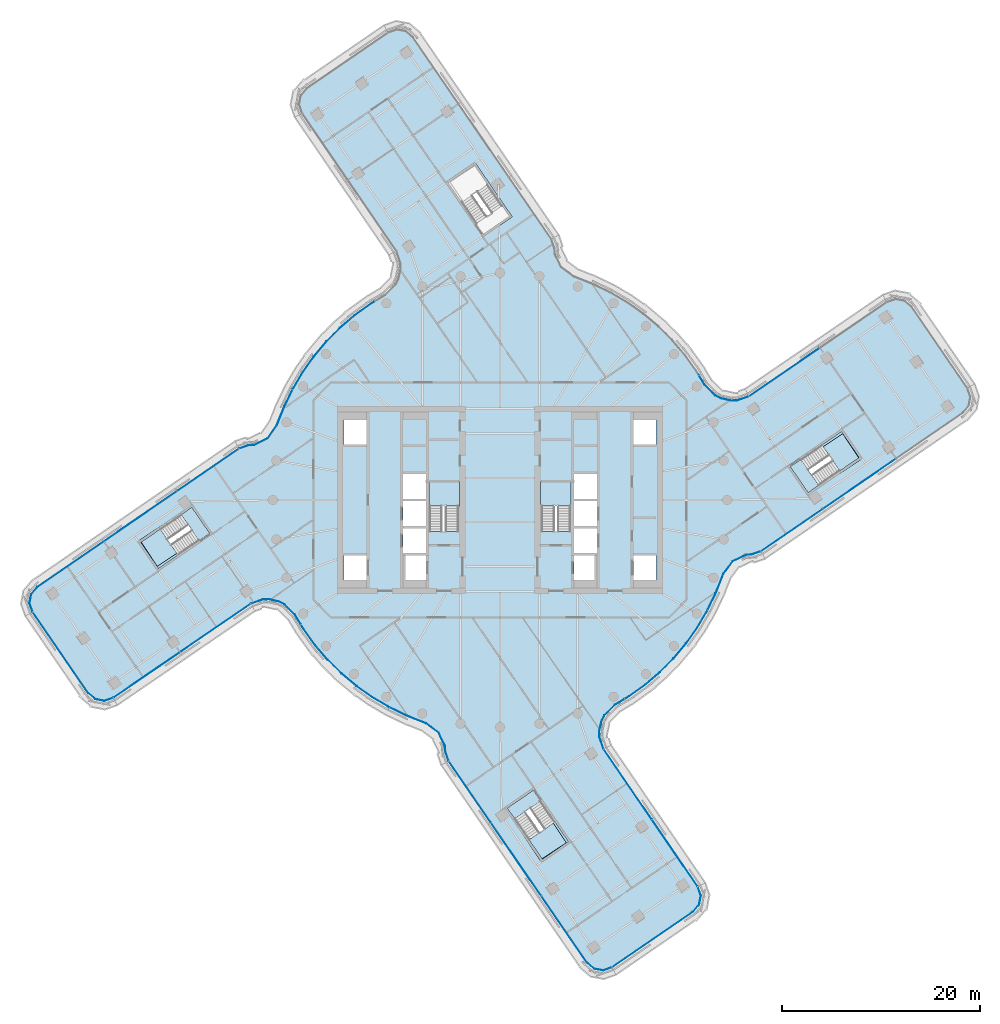
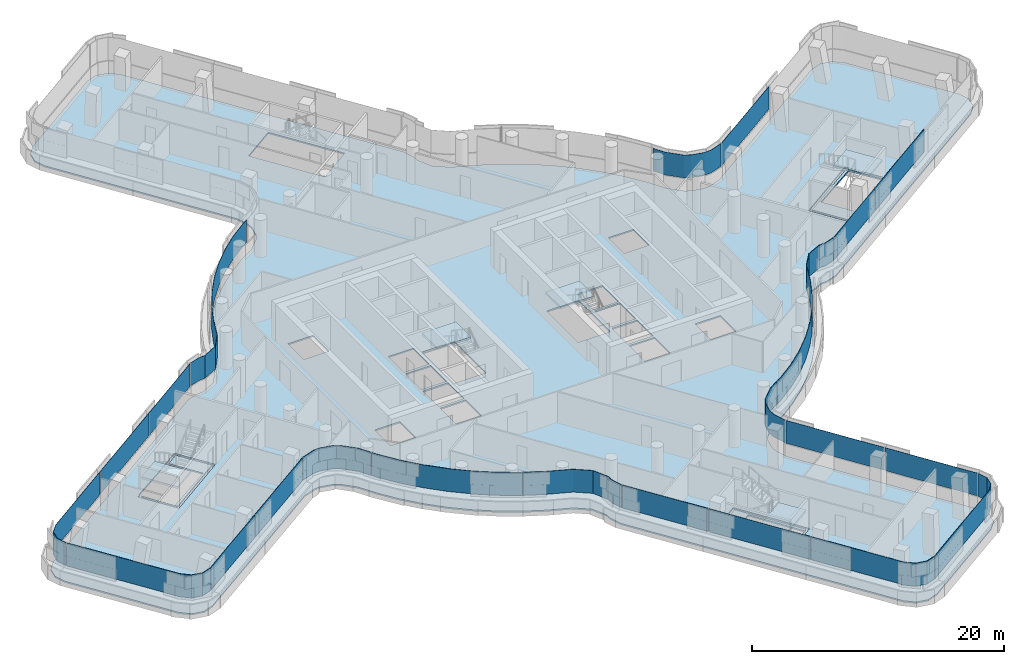
# One storey, part 19 of 33: 24 plates, 9 slabs, 17 elements without a shape of their own.
"""IFC4 building model written with IfcOpenShell, lengths in metres."""

from ifc_helpers import new_model, si_unit, direction, frame, origin, place, context, subcontext, project, spatial, polyline, outline, extrude, material, layer, layer_set, type_object, element, aggregate, save


model = new_model("IFC4")

# Units and contexts
model_context = context("Model", 3, precision=1e-05, world=origin(), true_north=direction((0.0, 1.0)))
body_context = subcontext(model_context, "Body", "Model", "MODEL_VIEW")
ifc_project = project(units=[si_unit("LENGTHUNIT", "METRE"), si_unit("AREAUNIT", "SQUARE_METRE"), si_unit("VOLUMEUNIT", "CUBIC_METRE"), si_unit("PLANEANGLEUNIT", "RADIAN"), si_unit("MASSUNIT", "GRAM", prefix="KILO")], contexts=[model_context])

# Site, building, storey
site_placement = place(None, origin())
site = spatial("IfcSite", under=ifc_project, at=site_placement, CompositionType="ELEMENT")
building_placement = place(site_placement, origin())
building = spatial("IfcBuilding", under=site, at=building_placement, Name="Tamarind Cross Interchange Tower", CompositionType="ELEMENT")
storey_placement = place(building_placement, frame((0.0, 0.0, 159.25)))
storey = spatial("IfcBuildingStorey", under=building, at=storey_placement, Name="L39", CompositionType="ELEMENT", Elevation=159.25)

# Slabs
ifc_material_1 = material(Name="Concrete C35", Category="concrete")
ifc_layer_1 = layer(ifc_material_1, 0.139892578125)
ifc_layer_set_1 = layer_set([ifc_layer_1], Name="Concrete C35")
slab_type_1 = type_object("IfcSlabType", Name="Composite slab 140 Concrete C35", PredefinedType="FLOOR", material=ifc_layer_set_1)
slab_1_placement = place(storey_placement, frame((0.0, 0.0, -0.139892578125)))
element("IfcSlab", 1, at=slab_1_placement, inside=storey, type_object=slab_type_1, Name="Floor slab L39", PredefinedType="FLOOR", context=body_context, shape_type="SweptSolid", body=[
    extrude(outline(polyline([(-25.51171875, 5.7333984375), (-26.522705078125, 5.3857421875), (-46.978271484375, -8.66162109375), (-47.65087890625, -9.448486328125), (-47.840087890625, -10.46630859375), (-47.494873046875, -11.4423828125), (-41.833740234375, -19.685791015625), (-41.046875, -20.3583984375), (-40.029052734375, -20.547607421875), (-39.052978515625, -20.202392578125), (-25.114501953125, -10.675048828125), (-23.974853515625, -10.28564453125), (-23.447509765625, -10.255615234375), (-22.405517578125, -10.484130859375), (-21.939208984375, -10.73193359375), (-20.898193359375, -11.773681640625), (-20.031982421875, -13.2109375), (-18.87255859375, -14.820068359375), (-17.584228515625, -16.327880859375), (-16.17578125, -17.72412109375), (-14.656982421875, -18.99951171875), (-13.0380859375, -20.14501953125), (-11.329833984375, -21.15283203125), (-9.54443359375, -22.01611328125), (-7.572998046875, -22.8017578125), (-6.36328125, -23.702392578125), (-5.75927734375, -24.952880859375), (-5.7294921875, -25.504638671875), (-5.381103515625, -26.529541015625), (8.66162109375, -46.978271484375), (9.448486328125, -47.65087890625), (10.46630859375, -47.840087890625), (11.4423828125, -47.494873046875), (19.685791015625, -41.833740234375), (20.3583984375, -41.046875), (20.547607421875, -40.029052734375), (20.202392578125, -39.052978515625), (10.675048828125, -25.114501953125), (10.28564453125, -23.974853515625), (10.255615234375, -23.447509765625), (10.484130859375, -22.405517578125), (10.73193359375, -21.939208984375), (11.773681640625, -20.898193359375), (13.2109375, -20.031982421875), (14.820068359375, -18.87255859375), (16.327880859375, -17.584228515625), (17.72412109375, -16.17578125), (18.99951171875, -14.656982421875), (20.14501953125, -13.0380859375), (21.15283203125, -11.329833984375), (22.01611328125, -9.54443359375), (22.8017578125, -7.572998046875), (23.702392578125, -6.36328125), (24.952880859375, -5.75927734375), (25.504638671875, -5.7294921875), (26.529541015625, -5.381103515625), (46.978271484375, 8.66162109375), (47.65087890625, 9.448486328125), (47.840087890625, 10.46630859375), (47.494873046875, 11.4423828125), (41.833740234375, 19.685791015625), (41.046875, 20.3583984375), (40.029052734375, 20.547607421875), (39.052978515625, 20.202392578125), (25.114501953125, 10.675048828125), (23.974853515625, 10.28564453125), (23.447509765625, 10.255615234375), (22.405517578125, 10.484130859375), (21.939208984375, 10.73193359375), (20.898193359375, 11.773681640625), (20.031982421875, 13.2109375), (18.87255859375, 14.820068359375), (17.584228515625, 16.327880859375), (16.17578125, 17.72412109375), (14.656982421875, 18.99951171875), (13.0380859375, 20.14501953125), (11.329833984375, 21.15283203125), (9.54443359375, 22.01611328125), (7.572998046875, 22.8017578125), (6.36328125, 23.702392578125), (5.75927734375, 24.952880859375), (5.7294921875, 25.504638671875), (5.381103515625, 26.529541015625), (-8.66162109375, 46.978271484375), (-9.448486328125, 47.65087890625), (-10.46630859375, 47.840087890625), (-11.4423828125, 47.494873046875), (-19.685791015625, 41.833740234375), (-20.3583984375, 41.046875), (-20.547607421875, 40.029052734375), (-20.202392578125, 39.052978515625), (-10.675048828125, 25.114501953125), (-10.28564453125, 23.974853515625), (-10.255615234375, 23.447509765625), (-10.484130859375, 22.405517578125), (-10.73193359375, 21.939208984375), (-11.773681640625, 20.898193359375), (-13.2109375, 20.031982421875), (-14.820068359375, 18.87255859375), (-16.327880859375, 17.584228515625), (-17.72412109375, 16.17578125), (-18.99951171875, 14.656982421875), (-20.14501953125, 13.0380859375), (-21.15283203125, 11.329833984375), (-22.01611328125, 9.54443359375), (-22.785400390625, 7.64599609375), (-23.647705078125, 6.412841796875), (-24.920654296875, 5.769287109375), (-25.51171875, 5.7333984375)]), holes=[polyline([(-7.5, -8.125), (-9.800048828125, -8.125), (-9.800048828125, -5.625), (-7.5, -5.625), (-7.5, -8.125)]), polyline([(-13.5, -8.125), (-15.800048828125, -8.125), (-15.800048828125, -5.625), (-13.5, -5.625), (-13.5, -8.125)]), polyline([(-34.632080078125, -7.21923828125), (-34.74560546875, -7.05419921875), (-36.556884765625, -4.41650390625), (-36.670166015625, -4.251708984375), (-36.43505859375, -4.090087890625), (-36.46826171875, -4.0400390625), (-33.722900390625, -2.2275390625), (-31.147216796875, -0.458740234375), (-31.033935546875, -0.62353515625), (-29.222412109375, -3.261474609375), (-29.109130859375, -3.42626953125), (-34.632080078125, -7.21923828125)]), polyline([(-7.5, -5.375), (-9.800048828125, -5.375), (-9.800048828125, -2.875), (-7.5, -2.875), (-7.5, -5.375)]), polyline([(-7.5, -2.625), (-9.800048828125, -2.625), (-9.800048828125, -0.125), (-7.5, -0.125), (-7.5, -2.625)]), polyline([(-4.199951171875, 1.800048828125), (-4.199951171875, -3.18798828125), (-7.14990234375, -3.18798828125), (-7.14990234375, 1.800048828125), (-4.199951171875, 1.800048828125)]), polyline([(-7.5, 0.125), (-9.800048828125, 0.125), (-9.800048828125, 2.625), (-7.5, 2.625), (-7.5, 0.125)]), polyline([(-13.5, 5.625), (-15.800048828125, 5.625), (-15.800048828125, 8.125), (-13.5, 8.125), (-13.5, 5.625)]), polyline([(1.239501953125, 28.674072265625), (1.07470703125, 28.560791015625), (-1.563232421875, 26.74951171875), (-1.72802734375, 26.635986328125), (-5.52099609375, 32.1591796875), (-5.35595703125, 32.2724609375), (-2.718017578125, 34.083984375), (-2.55322265625, 34.197265625), (-2.3916015625, 33.961669921875), (-2.38720703125, 33.964599609375), (-2.2275390625, 33.722900390625), (1.239501953125, 28.674072265625)]), polyline([(7.21923828125, -34.632080078125), (7.05419921875, -34.74560546875), (4.41650390625, -36.556884765625), (4.251708984375, -36.670166015625), (4.090087890625, -36.43505859375), (4.0400390625, -36.46826171875), (2.2275390625, -33.722900390625), (0.458740234375, -31.147216796875), (0.62353515625, -31.033935546875), (3.261474609375, -29.222412109375), (3.42626953125, -29.109130859375), (7.21923828125, -34.632080078125)]), polyline([(13.5, -5.625), (15.800048828125, -5.625), (15.800048828125, -8.125), (13.5, -8.125), (13.5, -5.625)]), polyline([(7.5, -5.625), (9.800048828125, -5.625), (9.800048828125, -8.125), (7.5, -8.125), (7.5, -5.625)]), polyline([(7.5, -2.875), (9.800048828125, -2.875), (9.800048828125, -5.375), (7.5, -5.375), (7.5, -2.875)]), polyline([(7.5, -0.125), (9.800048828125, -0.125), (9.800048828125, -2.625), (7.5, -2.625), (7.5, -0.125)]), polyline([(7.14990234375, 1.800048828125), (7.14990234375, -3.18798828125), (4.199951171875, -3.18798828125), (4.199951171875, 1.800048828125), (7.14990234375, 1.800048828125)]), polyline([(7.5, 2.625), (9.800048828125, 2.625), (9.800048828125, 0.125), (7.5, 0.125), (7.5, 2.625)]), polyline([(31.147216796875, 0.458740234375), (31.033935546875, 0.62353515625), (29.222412109375, 3.261474609375), (29.109130859375, 3.42626953125), (34.632080078125, 7.21923828125), (34.74560546875, 7.05419921875), (36.556884765625, 4.41650390625), (36.670166015625, 4.251708984375), (36.43505859375, 4.090087890625), (36.46826171875, 4.0400390625), (33.722900390625, 2.2275390625), (31.147216796875, 0.458740234375)]), polyline([(15.800048828125, 8.125), (15.800048828125, 5.625), (13.5, 5.625), (13.5, 8.125), (15.800048828125, 8.125)])]), origin(), (0.0, 0.0, 1.0), 0.139892578125),
])
slab_2_placement = place(storey_placement, frame((0.0, 0.0, -0.139892578125)))
element("IfcSlab", 2, at=slab_2_placement, inside=storey, type_object=slab_type_1, Name="Floor slab L39", PredefinedType="FLOOR", context=body_context, shape_type="SweptSolid", body=[
    extrude(outline(polyline([(-36.39208984375, -4.30322265625), (-34.58056640625, -6.941162109375), (-29.38720703125, -3.374755859375), (-31.19873046875, -0.73681640625), (-32.21240234375, -1.432861328125), (-32.2802734375, -1.4794921875), (-30.565185546875, -3.977294921875), (-34.705078125, -6.71044921875), (-36.324951171875, -4.257080078125), (-36.39208984375, -4.30322265625)])), origin(), (0.0, 0.0, 1.0), 0.139892578125),
])
slab_3_placement = place(storey_placement, frame((0.0, 0.0, -0.139892578125)))
element("IfcSlab", 3, at=slab_3_placement, inside=storey, type_object=slab_type_1, Name="Floor slab L39", PredefinedType="FLOOR", context=body_context, shape_type="SweptSolid", body=[
    extrude(outline(polyline([(3.374755859375, -29.38720703125), (0.73681640625, -31.19873046875), (1.432861328125, -32.21240234375), (1.4794921875, -32.2802734375), (3.977294921875, -30.565185546875), (6.71044921875, -34.705078125), (4.257080078125, -36.324951171875), (4.30322265625, -36.39208984375), (6.941162109375, -34.58056640625), (3.374755859375, -29.38720703125)])), origin(), (0.0, 0.0, 1.0), 0.139892578125),
])
slab_4_placement = place(storey_placement, frame((0.0, 0.0, -0.139892578125)))
element("IfcSlab", 4, at=slab_4_placement, inside=storey, type_object=slab_type_1, Name="Floor slab L39", PredefinedType="FLOOR", context=body_context, shape_type="SweptSolid", body=[
    extrude(outline(polyline([(36.39208984375, 4.30322265625), (34.58056640625, 6.941162109375), (29.38720703125, 3.374755859375), (31.19873046875, 0.73681640625), (32.21240234375, 1.432861328125), (32.2802734375, 1.4794921875), (30.565185546875, 3.977294921875), (34.705078125, 6.71044921875), (36.324951171875, 4.257080078125), (36.39208984375, 4.30322265625)])), origin(), (0.0, 0.0, 1.0), 0.139892578125),
])

# Stair, slab
ifc_material_2 = material(Name="Exit stair")
stair_type = type_object("IfcStairType", Name="Exit stair", PredefinedType="HALF_TURN_STAIR", material=ifc_material_2)
stair_1_placement = place(storey_placement, origin())
stair_1 = element("IfcStair", 5, at=stair_1_placement, inside=storey, type_object=stair_type, Name="L39 exit stair ST1", PredefinedType="HALF_TURN_STAIR")
ifc_material_3 = material(Name="Concrete C40", Category="concrete")
ifc_layer_2 = layer(ifc_material_3, 0.199951171875)
ifc_layer_set_2 = layer_set([ifc_layer_2], Name="Concrete C40")
slab_type_2 = type_object("IfcSlabType", Name="Stair landing", PredefinedType="LANDING", material=ifc_layer_set_2)
slab_5_placement = place(storey_placement, frame((0.0, 0.0, 1.675048828125)))
slab_5 = element("IfcSlab", 6, at=slab_5_placement, type_object=slab_type_2, Name="ST1 landing 1", PredefinedType="LANDING", context=body_context, shape_type="SweptSolid", body=[
    extrude(outline(polyline([(-4.10009765625, -0.60009765625), (-4.10009765625, 1.800048828125), (-7.199951171875, 1.800048828125), (-7.199951171875, -0.60009765625), (-4.10009765625, -0.60009765625)])), origin(), (0.0, 0.0, 1.0), 0.199951171875),
])
aggregate(stair_1, [slab_5])

stair_2_placement = place(storey_placement, origin())
stair_2 = element("IfcStair", 7, at=stair_2_placement, inside=storey, type_object=stair_type, Name="L39 exit stair ST2", PredefinedType="HALF_TURN_STAIR")
slab_6_placement = place(storey_placement, frame((0.0, 0.0, 1.675048828125)))
slab_6 = element("IfcSlab", 8, at=slab_6_placement, type_object=slab_type_2, Name="ST2 landing 1", PredefinedType="LANDING", context=body_context, shape_type="SweptSolid", body=[
    extrude(outline(polyline([(7.199951171875, -0.60009765625), (7.199951171875, 1.800048828125), (4.10009765625, 1.800048828125), (4.10009765625, -0.60009765625), (7.199951171875, -0.60009765625)])), origin(), (0.0, 0.0, 1.0), 0.199951171875),
])
aggregate(stair_2, [slab_6])

stair_3_placement = place(storey_placement, origin())
stair_3 = element("IfcStair", 9, at=stair_3_placement, inside=storey, type_object=stair_type, Name="L39 exit stair ST3", PredefinedType="HALF_TURN_STAIR")
slab_7_placement = place(storey_placement, frame((0.0, 0.0, 1.675048828125)))
slab_7 = element("IfcSlab", 10, at=slab_7_placement, type_object=slab_type_2, Name="ST3 landing 1", PredefinedType="LANDING", context=body_context, shape_type="SweptSolid", body=[
    extrude(outline(polyline([(34.40380859375, 2.937744140625), (36.39208984375, 4.30322265625), (34.58056640625, 6.941162109375), (32.59228515625, 5.57568359375), (34.40380859375, 2.937744140625)])), origin(), (0.0, 0.0, 1.0), 0.199951171875),
])
aggregate(stair_3, [slab_7])

stair_4_placement = place(storey_placement, origin())
stair_4 = element("IfcStair", 11, at=stair_4_placement, inside=storey, type_object=stair_type, Name="L39 exit stair ST5", PredefinedType="HALF_TURN_STAIR")
slab_8_placement = place(storey_placement, frame((0.0, 0.0, 1.675048828125)))
slab_8 = element("IfcSlab", 12, at=slab_8_placement, type_object=slab_type_2, Name="ST5 landing 1", PredefinedType="LANDING", context=body_context, shape_type="SweptSolid", body=[
    extrude(outline(polyline([(-34.40380859375, -2.937744140625), (-36.39208984375, -4.30322265625), (-34.58056640625, -6.941162109375), (-32.59228515625, -5.57568359375), (-34.40380859375, -2.937744140625)])), origin(), (0.0, 0.0, 1.0), 0.199951171875),
])
aggregate(stair_4, [slab_8])

stair_5_placement = place(storey_placement, origin())
stair_5 = element("IfcStair", 13, at=stair_5_placement, inside=storey, type_object=stair_type, Name="L39 exit stair ST6", PredefinedType="HALF_TURN_STAIR")
slab_9_placement = place(storey_placement, frame((0.0, 0.0, 1.675048828125)))
slab_9 = element("IfcSlab", 14, at=slab_9_placement, type_object=slab_type_2, Name="ST6 landing 1", PredefinedType="LANDING", context=body_context, shape_type="SweptSolid", body=[
    extrude(outline(polyline([(2.937744140625, -34.40380859375), (4.30322265625, -36.39208984375), (6.941162109375, -34.58056640625), (5.57568359375, -32.59228515625), (2.937744140625, -34.40380859375)])), origin(), (0.0, 0.0, 1.0), 0.199951171875),
])
aggregate(stair_5, [slab_9])

# Curtain wall, plate
ifc_material_4 = material(Name="Aluminium 6063-T6", Category="aluminium")
ifc_layer_3 = layer(ifc_material_4, 0.159912109375)
ifc_layer_set_3 = layer_set([ifc_layer_3], Name="Aluminium 6063-T6")
curtain_wall_type = type_object("IfcCurtainWallType", Name="Office curtain wall, 9.0 m bays", PredefinedType="NOTDEFINED", material=ifc_layer_set_3)
curtain_wall_1_placement = place(storey_placement, origin())
curtain_wall_1 = element("IfcCurtainWall", 15, at=curtain_wall_1_placement, inside=storey, type_object=curtain_wall_type, Name="CWS-L39-00", PredefinedType="NOTDEFINED")
ifc_material_5 = material(Name="Laminated low-e glass 8+1.52+8", Category="glass")
ifc_layer_4 = layer(ifc_material_5, 0.028076171875)
ifc_layer_set_4 = layer_set([ifc_layer_4], Name="Laminated low-e glass 8+1.52+8")
plate_type = type_object("IfcPlateType", Name="Vision panel CW1", PredefinedType="CURTAIN_PANEL", material=ifc_layer_set_4)
plate_1_placement = place(storey_placement, frame((0.0, 0.0, 1.39990234375)))
plate_1 = element("IfcPlate", 16, at=plate_1_placement, type_object=plate_type, Name="CWP-L39-00-00", PredefinedType="CURTAIN_PANEL", context=body_context, shape_type="SweptSolid", body=[
    extrude(outline(polyline([(-47.286376953125, -11.36767578125), (-41.67333984375, -19.54150390625), (-40.951416015625, -20.15869140625), (-40.04638671875, -20.32666015625), (-39.17724609375, -20.019287109375), (-39.16796875, -20.045654296875), (-40.0439453125, -20.355712890625), (-40.9638671875, -20.184814453125), (-41.6943359375, -19.560302734375), (-47.3095703125, -11.383544921875), (-47.286376953125, -11.36767578125)])), origin(), (0.0, 0.0, 1.0), 2.210205078125),
])
aggregate(curtain_wall_1, [plate_1])

# Curtain wall, plates
curtain_wall_2_placement = place(storey_placement, origin())
curtain_wall_2 = element("IfcCurtainWall", 17, at=curtain_wall_2_placement, inside=storey, type_object=curtain_wall_type, Name="CWS-L39-01", PredefinedType="NOTDEFINED")
plate_2_placement = place(storey_placement, frame((0.0, 0.0, 1.39990234375)))
plate_2 = element("IfcPlate", 18, at=plate_2_placement, type_object=plate_type, Name="CWP-L39-01-00", PredefinedType="CURTAIN_PANEL", context=body_context, shape_type="SweptSolid", body=[
    extrude(outline(polyline([(-39.12744140625, -19.993896484375), (-32.411865234375, -15.40380859375), (-32.39599609375, -15.4267578125), (-39.111572265625, -20.01708984375), (-39.12744140625, -19.993896484375)])), origin(), (0.0, 0.0, 1.0), 2.210205078125),
])
plate_3_placement = place(storey_placement, frame((0.0, 0.0, 1.39990234375)))
plate_3 = element("IfcPlate", 19, at=plate_3_placement, type_object=plate_type, Name="CWP-L39-01-01", PredefinedType="CURTAIN_PANEL", context=body_context, shape_type="SweptSolid", body=[
    extrude(outline(polyline([(-32.3623046875, -15.369873046875), (-25.237548828125, -10.499755859375), (-25.2216796875, -10.52294921875), (-32.346435546875, -15.39306640625), (-32.3623046875, -15.369873046875)])), origin(), (0.0, 0.0, 1.0), 2.210205078125),
])
aggregate(curtain_wall_2, [plate_2, plate_3])

curtain_wall_3_placement = place(storey_placement, origin())
curtain_wall_3 = element("IfcCurtainWall", 20, at=curtain_wall_3_placement, inside=storey, type_object=curtain_wall_type, Name="CWS-L39-02", PredefinedType="NOTDEFINED")
plate_4_placement = place(storey_placement, frame((0.0, 0.0, 1.39990234375)))
plate_4 = element("IfcPlate", 21, at=plate_4_placement, type_object=plate_type, Name="CWP-L39-02-00", PredefinedType="CURTAIN_PANEL", context=body_context, shape_type="SweptSolid", body=[
    extrude(outline(polyline([(-25.180908203125, -10.471435546875), (-24.01611328125, -10.073486328125), (-23.43017578125, -10.040283203125), (-22.3310546875, -10.28125), (-21.810302734375, -10.557861328125), (-20.728515625, -11.640869140625), (-20.152587890625, -12.59619140625), (-20.176513671875, -12.610595703125), (-20.750732421875, -11.658203125), (-21.8271484375, -10.580810546875), (-22.3408203125, -10.307861328125), (-23.4326171875, -10.068603515625), (-24.0107421875, -10.101318359375), (-25.171875, -10.498046875), (-25.180908203125, -10.471435546875)])), origin(), (0.0, 0.0, 1.0), 2.210205078125),
])
plate_5_placement = place(storey_placement, frame((0.0, 0.0, 1.39990234375)))
plate_5 = element("IfcPlate", 22, at=plate_5_placement, type_object=plate_type, Name="CWP-L39-02-01", PredefinedType="CURTAIN_PANEL", context=body_context, shape_type="SweptSolid", body=[
    extrude(outline(polyline([(-20.12158203125, -12.6474609375), (-19.853271484375, -13.0927734375), (-18.7041015625, -14.687744140625), (-17.42724609375, -16.18212890625), (-16.031494140625, -17.56591796875), (-14.526123046875, -18.829833984375), (-12.921630859375, -19.965087890625), (-11.228759765625, -20.9638671875), (-11.17529296875, -20.98974609375), (-11.1875, -21.014892578125), (-11.241943359375, -20.98876953125), (-12.936767578125, -19.988525390625), (-14.543212890625, -18.85205078125), (-16.05029296875, -17.586669921875), (-17.44775390625, -16.201171875), (-18.72607421875, -14.705078125), (-19.87646484375, -13.1083984375), (-20.1455078125, -12.662109375), (-20.12158203125, -12.6474609375)])), origin(), (0.0, 0.0, 1.0), 2.210205078125),
])
plate_6_placement = place(storey_placement, frame((0.0, 0.0, 1.39990234375)))
plate_6 = element("IfcPlate", 23, at=plate_6_placement, type_object=plate_type, Name="CWP-L39-02-02", PredefinedType="CURTAIN_PANEL", context=body_context, shape_type="SweptSolid", body=[
    extrude(outline(polyline([(-11.121337890625, -21.015869140625), (-9.4580078125, -21.820068359375), (-7.4677734375, -22.61328125), (-6.193359375, -23.56201171875), (-5.5478515625, -24.8984375), (-5.517578125, -25.463623046875), (-5.197021484375, -26.406005859375), (-5.2236328125, -26.4150390625), (-5.545166015625, -25.468994140625), (-5.575439453125, -24.905517578125), (-6.215576171875, -23.580322265625), (-7.4814453125, -22.637939453125), (-9.469482421875, -21.845703125), (-11.133544921875, -21.041015625), (-11.121337890625, -21.015869140625)])), origin(), (0.0, 0.0, 1.0), 2.210205078125),
])
aggregate(curtain_wall_3, [plate_4, plate_5, plate_6])

curtain_wall_4_placement = place(storey_placement, origin())
curtain_wall_4 = element("IfcCurtainWall", 24, at=curtain_wall_4_placement, inside=storey, type_object=curtain_wall_type, Name="CWS-L39-03", PredefinedType="NOTDEFINED")
plate_7_placement = place(storey_placement, frame((0.0, 0.0, 1.39990234375)))
plate_7 = element("IfcPlate", 25, at=plate_7_placement, type_object=plate_type, Name="CWP-L39-03-00", PredefinedType="CURTAIN_PANEL", context=body_context, shape_type="SweptSolid", body=[
    extrude(outline(polyline([(-5.172119140625, -26.455810546875), (-0.90625, -32.66796875), (-0.92919921875, -32.683837890625), (-5.1953125, -26.4716796875), (-5.172119140625, -26.455810546875)])), origin(), (0.0, 0.0, 1.0), 2.210205078125),
])
plate_8_placement = place(storey_placement, frame((0.0, 0.0, 1.39990234375)))
plate_8 = element("IfcPlate", 26, at=plate_8_placement, type_object=plate_type, Name="CWP-L39-03-01", PredefinedType="CURTAIN_PANEL", context=body_context, shape_type="SweptSolid", body=[
    extrude(outline(polyline([(-0.8720703125, -32.71728515625), (4.177734375, -40.07080078125), (4.154541015625, -40.086669921875), (-0.895263671875, -32.733154296875), (-0.8720703125, -32.71728515625)])), origin(), (0.0, 0.0, 1.0), 2.210205078125),
])
plate_9_placement = place(storey_placement, frame((0.0, 0.0, 1.39990234375)))
plate_9 = element("IfcPlate", 27, at=plate_9_placement, type_object=plate_type, Name="CWP-L39-03-02", PredefinedType="CURTAIN_PANEL", context=body_context, shape_type="SweptSolid", body=[
    extrude(outline(polyline([(4.211669921875, -40.120361328125), (8.822021484375, -46.833984375), (9.5439453125, -47.450927734375), (10.44921875, -47.619140625), (11.318115234375, -47.311767578125), (11.327392578125, -47.338134765625), (10.451416015625, -47.64794921875), (9.531494140625, -47.47705078125), (8.801025390625, -46.852783203125), (4.1884765625, -40.13623046875), (4.211669921875, -40.120361328125)])), origin(), (0.0, 0.0, 1.0), 2.210205078125),
])
aggregate(curtain_wall_4, [plate_7, plate_8, plate_9])

# Curtain wall, plate
curtain_wall_5_placement = place(storey_placement, origin())
curtain_wall_5 = element("IfcCurtainWall", 28, at=curtain_wall_5_placement, inside=storey, type_object=curtain_wall_type, Name="CWS-L39-04", PredefinedType="NOTDEFINED")
plate_10_placement = place(storey_placement, frame((0.0, 0.0, 1.39990234375)))
plate_10 = element("IfcPlate", 29, at=plate_10_placement, type_object=plate_type, Name="CWP-L39-04-00", PredefinedType="CURTAIN_PANEL", context=body_context, shape_type="SweptSolid", body=[
    extrude(outline(polyline([(11.36767578125, -47.286376953125), (19.54150390625, -41.67333984375), (20.15869140625, -40.951416015625), (20.32666015625, -40.04638671875), (20.019287109375, -39.17724609375), (20.045654296875, -39.16796875), (20.355712890625, -40.0439453125), (20.184814453125, -40.9638671875), (19.560302734375, -41.6943359375), (11.383544921875, -47.3095703125), (11.36767578125, -47.286376953125)])), origin(), (0.0, 0.0, 1.0), 2.210205078125),
])
aggregate(curtain_wall_5, [plate_10])

# Curtain wall, plates
curtain_wall_6_placement = place(storey_placement, origin())
curtain_wall_6 = element("IfcCurtainWall", 30, at=curtain_wall_6_placement, inside=storey, type_object=curtain_wall_type, Name="CWS-L39-05", PredefinedType="NOTDEFINED")
plate_11_placement = place(storey_placement, frame((0.0, 0.0, 1.39990234375)))
plate_11 = element("IfcPlate", 31, at=plate_11_placement, type_object=plate_type, Name="CWP-L39-05-00", PredefinedType="CURTAIN_PANEL", context=body_context, shape_type="SweptSolid", body=[
    extrude(outline(polyline([(19.993896484375, -39.12744140625), (15.40380859375, -32.411865234375), (15.4267578125, -32.39599609375), (20.01708984375, -39.111572265625), (19.993896484375, -39.12744140625)])), origin(), (0.0, 0.0, 1.0), 2.210205078125),
])
plate_12_placement = place(storey_placement, frame((0.0, 0.0, 1.39990234375)))
plate_12 = element("IfcPlate", 32, at=plate_12_placement, type_object=plate_type, Name="CWP-L39-05-01", PredefinedType="CURTAIN_PANEL", context=body_context, shape_type="SweptSolid", body=[
    extrude(outline(polyline([(15.369873046875, -32.3623046875), (10.499755859375, -25.237548828125), (10.52294921875, -25.2216796875), (15.39306640625, -32.346435546875), (15.369873046875, -32.3623046875)])), origin(), (0.0, 0.0, 1.0), 2.210205078125),
])
aggregate(curtain_wall_6, [plate_11, plate_12])

curtain_wall_7_placement = place(storey_placement, origin())
curtain_wall_7 = element("IfcCurtainWall", 33, at=curtain_wall_7_placement, inside=storey, type_object=curtain_wall_type, Name="CWS-L39-06", PredefinedType="NOTDEFINED")
plate_13_placement = place(storey_placement, frame((0.0, 0.0, 1.39990234375)))
plate_13 = element("IfcPlate", 34, at=plate_13_placement, type_object=plate_type, Name="CWP-L39-06-00", PredefinedType="CURTAIN_PANEL", context=body_context, shape_type="SweptSolid", body=[
    extrude(outline(polyline([(10.471435546875, -25.180908203125), (10.073486328125, -24.01611328125), (10.040283203125, -23.43017578125), (10.28125, -22.3310546875), (10.557861328125, -21.810302734375), (11.640869140625, -20.728515625), (12.59619140625, -20.152587890625), (12.610595703125, -20.176513671875), (11.658203125, -20.750732421875), (10.580810546875, -21.8271484375), (10.307861328125, -22.3408203125), (10.068603515625, -23.4326171875), (10.101318359375, -24.0107421875), (10.498046875, -25.171875), (10.471435546875, -25.180908203125)])), origin(), (0.0, 0.0, 1.0), 2.210205078125),
])
plate_14_placement = place(storey_placement, frame((0.0, 0.0, 1.39990234375)))
plate_14 = element("IfcPlate", 35, at=plate_14_placement, type_object=plate_type, Name="CWP-L39-06-01", PredefinedType="CURTAIN_PANEL", context=body_context, shape_type="SweptSolid", body=[
    extrude(outline(polyline([(12.6474609375, -20.12158203125), (13.0927734375, -19.853271484375), (14.687744140625, -18.7041015625), (16.18212890625, -17.42724609375), (17.56591796875, -16.031494140625), (18.829833984375, -14.526123046875), (19.965087890625, -12.921630859375), (20.9638671875, -11.228759765625), (20.98974609375, -11.17529296875), (21.014892578125, -11.1875), (20.98876953125, -11.241943359375), (19.988525390625, -12.936767578125), (18.85205078125, -14.543212890625), (17.586669921875, -16.05029296875), (16.201171875, -17.44775390625), (14.705078125, -18.72607421875), (13.1083984375, -19.87646484375), (12.662109375, -20.1455078125), (12.6474609375, -20.12158203125)])), origin(), (0.0, 0.0, 1.0), 2.210205078125),
])
plate_15_placement = place(storey_placement, frame((0.0, 0.0, 1.39990234375)))
plate_15 = element("IfcPlate", 36, at=plate_15_placement, type_object=plate_type, Name="CWP-L39-06-02", PredefinedType="CURTAIN_PANEL", context=body_context, shape_type="SweptSolid", body=[
    extrude(outline(polyline([(21.015869140625, -11.121337890625), (21.820068359375, -9.4580078125), (22.61328125, -7.4677734375), (23.56201171875, -6.193359375), (24.8984375, -5.5478515625), (25.463623046875, -5.517578125), (26.406005859375, -5.197021484375), (26.4150390625, -5.2236328125), (25.468994140625, -5.545166015625), (24.905517578125, -5.575439453125), (23.580322265625, -6.215576171875), (22.637939453125, -7.4814453125), (21.845703125, -9.469482421875), (21.041015625, -11.133544921875), (21.015869140625, -11.121337890625)])), origin(), (0.0, 0.0, 1.0), 2.210205078125),
])
aggregate(curtain_wall_7, [plate_13, plate_14, plate_15])

curtain_wall_8_placement = place(storey_placement, origin())
curtain_wall_8 = element("IfcCurtainWall", 37, at=curtain_wall_8_placement, inside=storey, type_object=curtain_wall_type, Name="CWS-L39-07", PredefinedType="NOTDEFINED")
plate_16_placement = place(storey_placement, frame((0.0, 0.0, 1.39990234375)))
plate_16 = element("IfcPlate", 38, at=plate_16_placement, type_object=plate_type, Name="CWP-L39-07-00", PredefinedType="CURTAIN_PANEL", context=body_context, shape_type="SweptSolid", body=[
    extrude(outline(polyline([(26.455810546875, -5.172119140625), (32.66796875, -0.90625), (32.683837890625, -0.92919921875), (26.4716796875, -5.1953125), (26.455810546875, -5.172119140625)])), origin(), (0.0, 0.0, 1.0), 2.210205078125),
])
plate_17_placement = place(storey_placement, frame((0.0, 0.0, 1.39990234375)))
plate_17 = element("IfcPlate", 39, at=plate_17_placement, type_object=plate_type, Name="CWP-L39-07-01", PredefinedType="CURTAIN_PANEL", context=body_context, shape_type="SweptSolid", body=[
    extrude(outline(polyline([(32.71728515625, -0.8720703125), (40.07080078125, 4.177734375), (40.086669921875, 4.154541015625), (32.733154296875, -0.895263671875), (32.71728515625, -0.8720703125)])), origin(), (0.0, 0.0, 1.0), 2.210205078125),
])
aggregate(curtain_wall_8, [plate_16, plate_17])

# Curtain wall, plate
curtain_wall_9_placement = place(storey_placement, origin())
curtain_wall_9 = element("IfcCurtainWall", 40, at=curtain_wall_9_placement, inside=storey, type_object=curtain_wall_type, Name="CWS-L39-09", PredefinedType="NOTDEFINED")
plate_18_placement = place(storey_placement, frame((0.0, 0.0, 1.39990234375)))
plate_18 = element("IfcPlate", 41, at=plate_18_placement, type_object=plate_type, Name="CWP-L39-09-01", PredefinedType="CURTAIN_PANEL", context=body_context, shape_type="SweptSolid", body=[
    extrude(outline(polyline([(32.3623046875, 15.369873046875), (25.237548828125, 10.499755859375), (25.2216796875, 10.52294921875), (32.346435546875, 15.39306640625), (32.3623046875, 15.369873046875)])), origin(), (0.0, 0.0, 1.0), 2.210205078125),
])
aggregate(curtain_wall_9, [plate_18])

curtain_wall_10_placement = place(storey_placement, origin())
curtain_wall_10 = element("IfcCurtainWall", 42, at=curtain_wall_10_placement, inside=storey, type_object=curtain_wall_type, Name="CWS-L39-10", PredefinedType="NOTDEFINED")
plate_19_placement = place(storey_placement, frame((0.0, 0.0, 1.39990234375)))
plate_19 = element("IfcPlate", 43, at=plate_19_placement, type_object=plate_type, Name="CWP-L39-10-00", PredefinedType="CURTAIN_PANEL", context=body_context, shape_type="SweptSolid", body=[
    extrude(outline(polyline([(25.180908203125, 10.471435546875), (24.01611328125, 10.073486328125), (23.43017578125, 10.040283203125), (22.3310546875, 10.28125), (21.810302734375, 10.557861328125), (20.728515625, 11.640869140625), (20.152587890625, 12.59619140625), (20.176513671875, 12.610595703125), (20.750732421875, 11.658203125), (21.8271484375, 10.580810546875), (22.3408203125, 10.307861328125), (23.4326171875, 10.068603515625), (24.0107421875, 10.101318359375), (25.171875, 10.498046875), (25.180908203125, 10.471435546875)])), origin(), (0.0, 0.0, 1.0), 2.210205078125),
])
aggregate(curtain_wall_10, [plate_19])

# Curtain wall, plates
curtain_wall_11_placement = place(storey_placement, origin())
curtain_wall_11 = element("IfcCurtainWall", 44, at=curtain_wall_11_placement, inside=storey, type_object=curtain_wall_type, Name="CWS-L39-14", PredefinedType="NOTDEFINED")
plate_20_placement = place(storey_placement, frame((0.0, 0.0, 1.39990234375)))
plate_20 = element("IfcPlate", 45, at=plate_20_placement, type_object=plate_type, Name="CWP-L39-14-01", PredefinedType="CURTAIN_PANEL", context=body_context, shape_type="SweptSolid", body=[
    extrude(outline(polyline([(-12.6474609375, 20.12158203125), (-13.0927734375, 19.853271484375), (-14.687744140625, 18.7041015625), (-16.18212890625, 17.42724609375), (-17.56591796875, 16.031494140625), (-18.829833984375, 14.526123046875), (-19.965087890625, 12.921630859375), (-20.9638671875, 11.228759765625), (-20.98974609375, 11.17529296875), (-21.01513671875, 11.1875), (-20.98876953125, 11.241943359375), (-19.988525390625, 12.936767578125), (-18.85205078125, 14.543212890625), (-17.586669921875, 16.05029296875), (-16.201171875, 17.44775390625), (-14.705078125, 18.72607421875), (-13.1083984375, 19.87646484375), (-12.662109375, 20.1455078125), (-12.6474609375, 20.12158203125)])), origin(), (0.0, 0.0, 1.0), 2.210205078125),
])
plate_21_placement = place(storey_placement, frame((0.0, 0.0, 1.39990234375)))
plate_21 = element("IfcPlate", 46, at=plate_21_placement, type_object=plate_type, Name="CWP-L39-14-02", PredefinedType="CURTAIN_PANEL", context=body_context, shape_type="SweptSolid", body=[
    extrude(outline(polyline([(-21.015869140625, 11.121337890625), (-21.8203125, 9.45751953125), (-22.59619140625, 7.543212890625), (-23.5029296875, 6.24609375), (-24.863525390625, 5.558349609375), (-25.469482421875, 5.521484375), (-26.399169921875, 5.201904296875), (-26.408203125, 5.228515625), (-25.47509765625, 5.54931640625), (-24.87109375, 5.5859375), (-23.52197265625, 6.26806640625), (-22.62109375, 7.556640625), (-21.845947265625, 9.468994140625), (-21.041259765625, 11.133544921875), (-21.015869140625, 11.121337890625)])), origin(), (0.0, 0.0, 1.0), 2.210205078125),
])
aggregate(curtain_wall_11, [plate_20, plate_21])

curtain_wall_12_placement = place(storey_placement, origin())
curtain_wall_12 = element("IfcCurtainWall", 47, at=curtain_wall_12_placement, inside=storey, type_object=curtain_wall_type, Name="CWS-L39-15", PredefinedType="NOTDEFINED")
plate_22_placement = place(storey_placement, frame((0.0, 0.0, 1.39990234375)))
plate_22 = element("IfcPlate", 48, at=plate_22_placement, type_object=plate_type, Name="CWP-L39-15-00", PredefinedType="CURTAIN_PANEL", context=body_context, shape_type="SweptSolid", body=[
    extrude(outline(polyline([(-26.44873046875, 5.177001953125), (-32.667724609375, 0.90625), (-32.68359375, 0.929443359375), (-26.464599609375, 5.199951171875), (-26.44873046875, 5.177001953125)])), origin(), (0.0, 0.0, 1.0), 2.210205078125),
])
plate_23_placement = place(storey_placement, frame((0.0, 0.0, 1.39990234375)))
plate_23 = element("IfcPlate", 49, at=plate_23_placement, type_object=plate_type, Name="CWP-L39-15-01", PredefinedType="CURTAIN_PANEL", context=body_context, shape_type="SweptSolid", body=[
    extrude(outline(polyline([(-32.717041015625, 0.872314453125), (-40.07080078125, -4.177490234375), (-40.086669921875, -4.154541015625), (-32.73291015625, 0.8955078125), (-32.717041015625, 0.872314453125)])), origin(), (0.0, 0.0, 1.0), 2.210205078125),
])
plate_24_placement = place(storey_placement, frame((0.0, 0.0, 1.39990234375)))
plate_24 = element("IfcPlate", 50, at=plate_24_placement, type_object=plate_type, Name="CWP-L39-15-02", PredefinedType="CURTAIN_PANEL", context=body_context, shape_type="SweptSolid", body=[
    extrude(outline(polyline([(-40.1201171875, -4.211669921875), (-46.833984375, -8.822021484375), (-47.450927734375, -9.5439453125), (-47.619140625, -10.44921875), (-47.311767578125, -11.318115234375), (-47.338134765625, -11.327392578125), (-47.64794921875, -10.451416015625), (-47.47705078125, -9.531494140625), (-46.852783203125, -8.801025390625), (-40.135986328125, -4.1884765625), (-40.1201171875, -4.211669921875)])), origin(), (0.0, 0.0, 1.0), 2.210205078125),
])
aggregate(curtain_wall_12, [plate_22, plate_23, plate_24])

save(model, "model.ifc")
